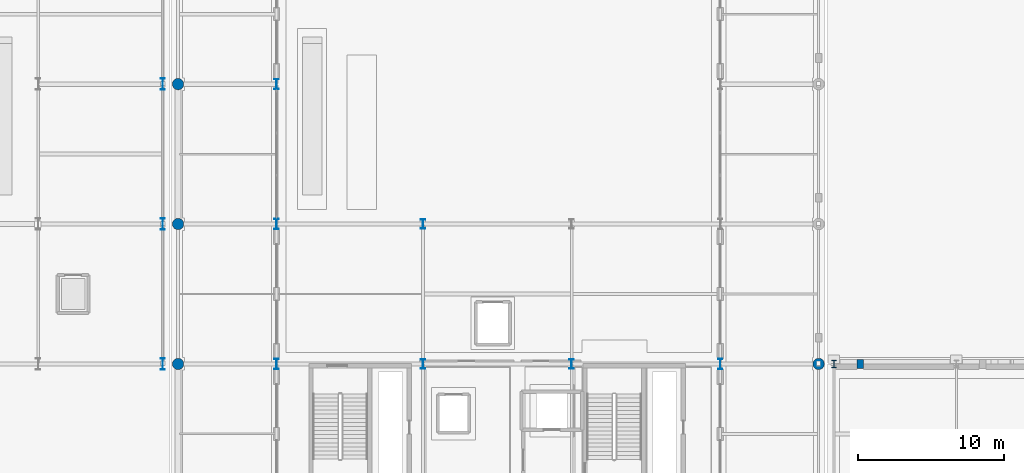
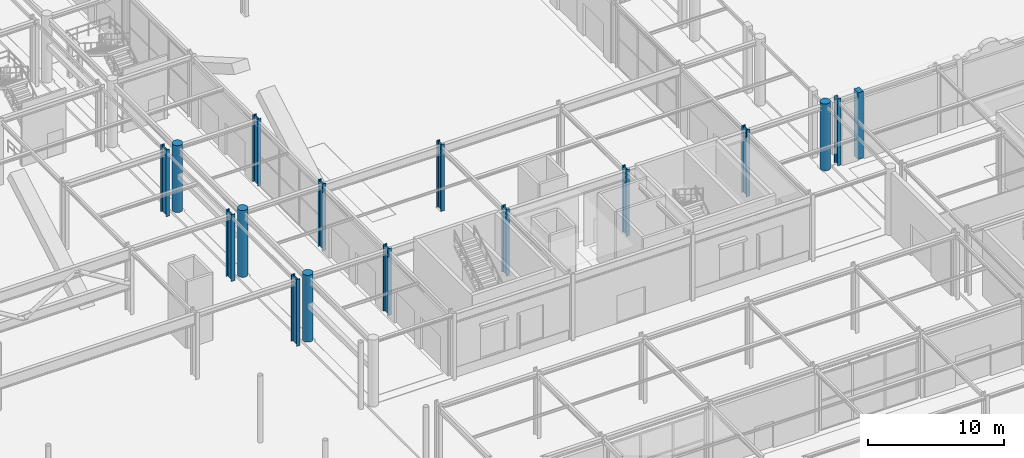
# One storey, part 8 of 113: 16 columns.
"""IFC4 building model written with IfcOpenShell, lengths in metres."""

from ifc_helpers import new_model, si_unit, direction, frame, origin, origin_2d, place, context, subcontext, project, spatial, rectangle, circle, i_section, extrude, material, material_profile, profile_set, type_object, element, save


model = new_model("IFC4")

# Units and contexts
model_context = context("Model", 3, precision=1e-05, world=origin(), true_north=direction((0.0, 1.0)))
body_context = subcontext(model_context, "Body", "Model", "MODEL_VIEW")
ifc_project = project(units=[si_unit("LENGTHUNIT", "METRE"), si_unit("AREAUNIT", "SQUARE_METRE"), si_unit("VOLUMEUNIT", "CUBIC_METRE"), si_unit("PLANEANGLEUNIT", "RADIAN"), si_unit("MASSUNIT", "GRAM", prefix="KILO")], contexts=[model_context])

# Site, building, storey
site_placement = place(None, origin())
site = spatial("IfcSite", under=ifc_project, at=site_placement, CompositionType="ELEMENT")
building_placement = place(site_placement, origin())
building = spatial("IfcBuilding", under=site, at=building_placement, Name="Myrtia Square Station", CompositionType="ELEMENT")
storey_placement = place(building_placement, origin())
storey = spatial("IfcBuildingStorey", under=building, at=storey_placement, Name="L00", CompositionType="ELEMENT", Elevation=0.0)

# Columns
ifc_material_1 = material(Name="Steel S355", Category="steel")
ifc_material_profile_1 = material_profile(ifc_material_1, i_section(OverallWidth=0.300048828125, OverallDepth=0.639892578125, WebThickness=0.013427734375, FlangeThickness=0.02587890625, FilletRadius=0.027099609375, at=origin_2d()), Name="HEA 650")
ifc_profile_set_1 = profile_set([ifc_material_profile_1], Name="Steel S355")
column_type_1 = type_object("IfcColumnType", Name="COL-HEA650", PredefinedType="COLUMN", material=ifc_profile_set_1)
for number, where, z_axis, x_axis, name in (
    (1, (89.39990234375, 38.39990234375, 0.0), (0.0, 0.0, 1.0), (1.0, 0.0, 0.0), "Column L00-0423"),
    (2, (89.39990234375, 48.0, 0.0), (0.0, 0.0, 1.0), (1.0, 0.0, 0.0), "Column L00-0428"),
    (3, (99.60009765625, 38.39990234375, 0.0), (0.0, 0.0, 1.0), (1.0, 0.0, 0.0), "Column L00-0455"),
):
    element("IfcColumn", number, at=place(storey_placement, frame(where, z_axis=z_axis, x_axis=x_axis)), inside=storey, type_object=column_type_1, Name=name, PredefinedType="COLUMN", context=body_context, shape_type="SweptSolid", body=[
        extrude(i_section(OverallWidth=0.300048828125, OverallDepth=0.639892578125, WebThickness=0.013427734375, FlangeThickness=0.02587890625, FilletRadius=0.027099609375, at=origin_2d()), origin(), (0.0, 0.0, 1.0), 6.0),
    ])
ifc_material_profile_2 = material_profile(ifc_material_1, i_section(OverallWidth=0.300048828125, OverallDepth=0.5, WebThickness=0.014404296875, FlangeThickness=0.028076171875, FilletRadius=0.027099609375, at=origin_2d()), Name="HEB 500")
ifc_profile_set_2 = profile_set([ifc_material_profile_2], Name="Steel S355")
column_type_2 = type_object("IfcColumnType", Name="COL-HEB500", PredefinedType="COLUMN", material=ifc_profile_set_2)
column_1_placement = place(storey_placement, frame((117.60009765625, 38.39990234375, 0.0), z_axis=(0.0, 0.0, 1.0), x_axis=(1.0, 0.0, 0.0)))
element("IfcColumn", 4, at=column_1_placement, inside=storey, type_object=column_type_2, Name="Column L00-0580", PredefinedType="COLUMN", context=body_context, shape_type="SweptSolid", body=[
    extrude(i_section(OverallWidth=0.300048828125, OverallDepth=0.5, WebThickness=0.014404296875, FlangeThickness=0.028076171875, FilletRadius=0.027099609375, at=origin_2d()), origin(), (0.0, 0.0, 1.0), 6.0),
])
ifc_material_profile_3 = material_profile(ifc_material_1, i_section(OverallWidth=0.300048828125, OverallDepth=0.699951171875, WebThickness=0.01708984375, FlangeThickness=0.031982421875, FilletRadius=0.027099609375, at=origin_2d()), Name="HEB 700")
ifc_profile_set_3 = profile_set([ifc_material_profile_3], Name="Steel S355")
column_type_3 = type_object("IfcColumnType", Name="COL-HEB700", PredefinedType="COLUMN", material=ifc_profile_set_3)
for number, where, z_axis, x_axis, name in (
    (5, (79.35009765625, 38.39990234375, 0.0), (0.0, 0.0, 1.0), (1.0, 0.0, 0.0), "Column L00-0274"),
    (6, (109.800048828125, 38.39990234375, 0.0), (0.0, 0.0, 1.0), (1.0, 0.0, 0.0), "Column L00-0280"),
    (7, (79.35009765625, 48.0, 0.0), (0.0, 0.0, 1.0), (1.0, 0.0, 0.0), "Column L00-0296"),
    (8, (79.35009765625, 57.60009765625, 0.0), (0.0, 0.0, 1.0), (1.0, 0.0, 0.0), "Column L00-0318"),
):
    element("IfcColumn", number, at=place(storey_placement, frame(where, z_axis=z_axis, x_axis=x_axis)), inside=storey, type_object=column_type_3, Name=name, PredefinedType="COLUMN", context=body_context, shape_type="SweptSolid", body=[
        extrude(i_section(OverallWidth=0.300048828125, OverallDepth=0.699951171875, WebThickness=0.01708984375, FlangeThickness=0.031982421875, FilletRadius=0.027099609375, at=origin_2d()), origin(), (0.0, 0.0, 1.0), 6.0),
    ])
ifc_material_profile_4 = material_profile(ifc_material_1, i_section(OverallWidth=0.300048828125, OverallDepth=0.800048828125, WebThickness=0.017578125, FlangeThickness=0.032958984375, FilletRadius=0.030029296875, at=origin_2d()), Name="HEB 800")
ifc_profile_set_4 = profile_set([ifc_material_profile_4], Name="Steel S355")
column_type_4 = type_object("IfcColumnType", Name="COL-HEB800", PredefinedType="COLUMN", material=ifc_profile_set_4)
for number, where, z_axis, x_axis, name in (
    (9, (71.550048828125, 38.39990234375, 0.0), (0.0, 0.0, 1.0), (1.0, 0.0, 0.0), "Column L00-0212"),
    (10, (71.550048828125, 48.0, 0.0), (0.0, 0.0, 1.0), (1.0, 0.0, 0.0), "Column L00-0215"),
    (11, (71.550048828125, 57.60009765625, 0.0), (0.0, 0.0, 1.0), (1.0, 0.0, 0.0), "Column L00-0218"),
):
    element("IfcColumn", number, at=place(storey_placement, frame(where, z_axis=z_axis, x_axis=x_axis)), inside=storey, type_object=column_type_4, Name=name, PredefinedType="COLUMN", context=body_context, shape_type="SweptSolid", body=[
        extrude(i_section(OverallWidth=0.300048828125, OverallDepth=0.800048828125, WebThickness=0.017578125, FlangeThickness=0.032958984375, FilletRadius=0.030029296875, at=origin_2d()), origin(), (0.0, 0.0, 1.0), 6.0),
    ])
ifc_material_2 = material(Name="Concrete C40/50", Category="concrete")
ifc_material_profile_5 = material_profile(ifc_material_2, circle(Radius=0.389892578125, at=origin_2d()), Name="RC D780")
ifc_profile_set_5 = profile_set([ifc_material_profile_5], Name="Concrete C40/50")
column_type_5 = type_object("IfcColumnType", Name="COL-RCD780", PredefinedType="COLUMN", material=ifc_profile_set_5)
for number, where, z_axis, x_axis, name in (
    (12, (72.60009765625, 38.39990234375, 0.0), (0.0, 0.0, 1.0), (1.0, 0.0, 0.0), "Column L00-0264"),
    (13, (116.550048828125, 38.39990234375, 0.0), (0.0, 0.0, 1.0), (1.0, 0.0, 0.0), "Column L00-0269"),
    (14, (72.60009765625, 48.0, 0.0), (0.0, 0.0, 1.0), (1.0, 0.0, 0.0), "Column L00-0286"),
    (15, (72.60009765625, 57.60009765625, 0.0), (0.0, 0.0, 1.0), (1.0, 0.0, 0.0), "Column L00-0308"),
):
    element("IfcColumn", number, at=place(storey_placement, frame(where, z_axis=z_axis, x_axis=x_axis)), inside=storey, type_object=column_type_5, Name=name, PredefinedType="COLUMN", context=body_context, shape_type="SweptSolid", body=[
        extrude(circle(Radius=0.389892578125, at=origin_2d()), origin(), (0.0, 0.0, 1.0), 6.0),
    ])
ifc_material_profile_6 = material_profile(ifc_material_2, rectangle(XDim=0.449951171875, YDim=0.60009765625, at=origin_2d()), Name="PIL 450x600")
ifc_profile_set_6 = profile_set([ifc_material_profile_6], Name="Concrete C40/50")
column_type_6 = type_object("IfcColumnType", Name="PIL-RC450x600", PredefinedType="PILASTER", material=ifc_profile_set_6)
column_2_placement = place(storey_placement, frame((119.39990234375, 38.39990234375, 0.0), z_axis=(0.0, 0.0, 1.0), x_axis=(1.0, 0.0, 0.0)))
element("IfcColumn", 16, at=column_2_placement, inside=storey, type_object=column_type_6, Name="Portales arcade pilaster L00-06", PredefinedType="PILASTER", context=body_context, shape_type="SweptSolid", body=[
    extrude(rectangle(XDim=0.449951171875, YDim=0.60009765625, at=origin_2d()), origin(), (0.0, 0.0, 1.0), 6.0),
])

save(model, "model.ifc")
